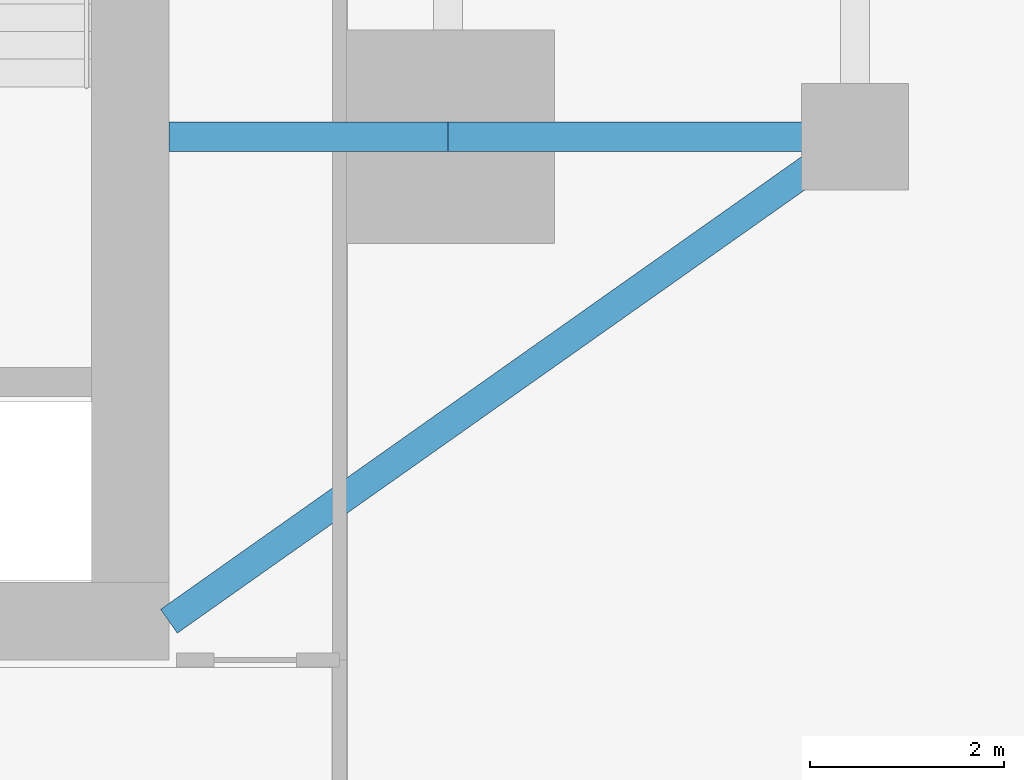
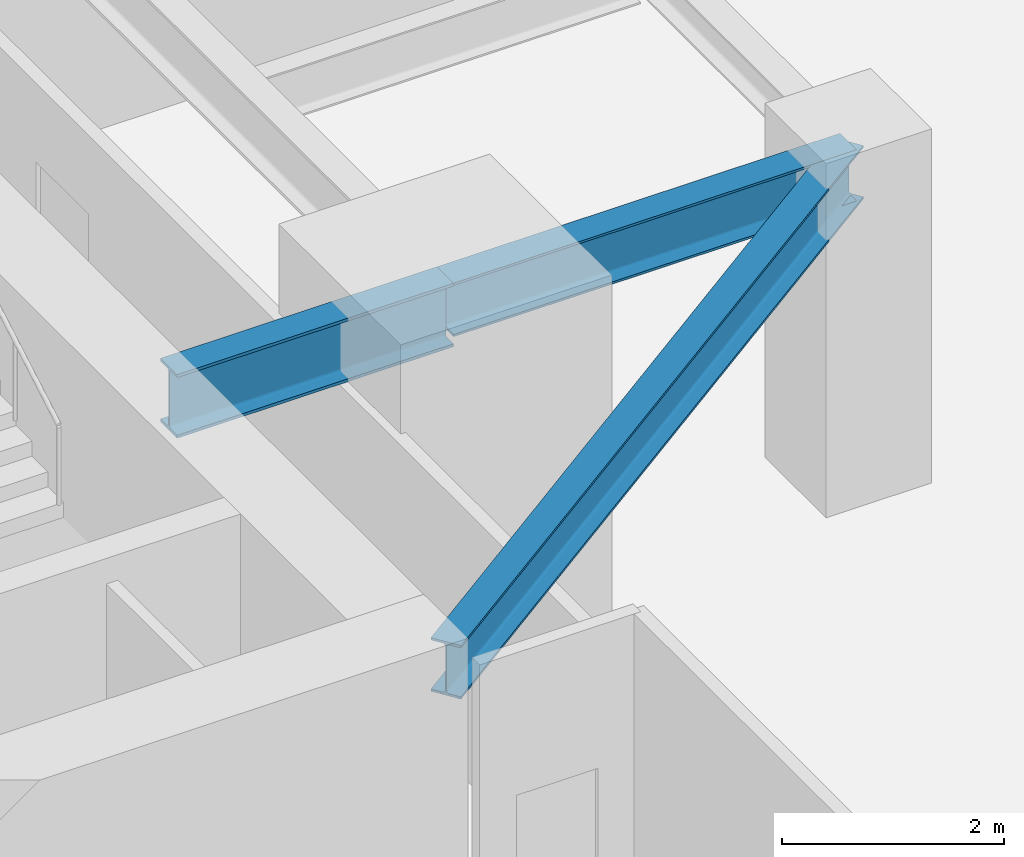
# One storey, part 11 of 30: 3 beams.
"""IFC4 building model written with IfcOpenShell, lengths in metres."""

from ifc_helpers import new_model, si_unit, direction, frame, origin, origin_2d, place, context, subcontext, project, spatial, i_section, extrude, source, transform, mapped, material, material_profile, profile_set, type_object, type_shapes, element, save


model = new_model("IFC4")

# Units and contexts
model_context = context("Model", 3, precision=1e-05, world=origin(), true_north=direction((0.0, 1.0)))
body_context = subcontext(model_context, "Body", "Model", "MODEL_VIEW")
ifc_project = project(units=[si_unit("LENGTHUNIT", "METRE"), si_unit("AREAUNIT", "SQUARE_METRE"), si_unit("VOLUMEUNIT", "CUBIC_METRE"), si_unit("PLANEANGLEUNIT", "RADIAN"), si_unit("MASSUNIT", "GRAM", prefix="KILO")], contexts=[model_context])

# Site, building, storey
site_placement = place(None, origin())
site = spatial("IfcSite", under=ifc_project, at=site_placement, CompositionType="ELEMENT")
building_placement = place(site_placement, origin())
building = spatial("IfcBuilding", under=site, at=building_placement, Name="Krantzveldt Concourse Tower", CompositionType="ELEMENT")
storey_placement = place(building_placement, frame((0.0, 0.0, 25.0)))
storey = spatial("IfcBuildingStorey", under=building, at=storey_placement, Name="L05", CompositionType="ELEMENT", Elevation=25.0)

# Beams
ifc_material_1 = material(Name="Steel S355J2", Category="steel")
ifc_material_profile_1 = material_profile(ifc_material_1, i_section(OverallWidth=0.300048828125, OverallDepth=0.699951171875, WebThickness=0.01708984375, FlangeThickness=0.031982421875, FilletRadius=0.027099609375, at=origin_2d()), Name="Steel S355J2", Category="steel")
ifc_profile_set_1 = profile_set([ifc_material_profile_1], Name="Steel S355J2 - HEB 700")
beam_type_1 = type_object("IfcBeamType", Name="BM-B-HEB700", PredefinedType="BEAM", material=ifc_profile_set_1)
shared_shape_1 = source(origin(), body_context, "Body", "SweptSolid", [
    extrude(i_section(OverallWidth=0.300048828125, OverallDepth=0.699951171875, WebThickness=0.01708984375, FlangeThickness=0.031982421875, FilletRadius=0.027099609375, at=origin_2d()), origin(), (0.0, 0.0, 1.0), 2.880126953125),
])
type_shapes(beam_type_1, [shared_shape_1])
beam_1_placement = place(storey_placement, frame((43.919921875, 15.89990234375, 3.320068359375), z_axis=(1.0, 0.0, 0.0), x_axis=(0.0, 1.0, 0.0)))
element("IfcBeam", 1, at=beam_1_placement, inside=storey, type_object=beam_type_1, Name="L05 Tower Girder BG-CE1", PredefinedType="BEAM", context=body_context, shape_type="MappedRepresentation", body=[
    mapped(shared_shape_1, transform((0.0, 0.0, 0.0), x_axis=(1.0, 0.0, 0.0), y_axis=(0.0, 1.0, 0.0), z_axis=(0.0, 0.0, 1.0), scale=1.0)),
])
ifc_material_2 = material(Name="Steel S355JR", Category="steel")
ifc_material_profile_2 = material_profile(ifc_material_2, i_section(OverallWidth=0.300048828125, OverallDepth=0.590087890625, WebThickness=0.012939453125, FlangeThickness=0.02490234375, FilletRadius=0.027099609375, at=origin_2d()), Name="Steel S355JR", Category="steel")
ifc_profile_set_2 = profile_set([ifc_material_profile_2], Name="Steel S355JR - HEA 600")
beam_type_2 = type_object("IfcBeamType", Name="BM-B-HEA600", PredefinedType="BEAM", material=ifc_profile_set_2)
shared_shape_2 = source(origin(), body_context, "Body", "SweptSolid", [
    extrude(i_section(OverallWidth=0.300048828125, OverallDepth=0.590087890625, WebThickness=0.012939453125, FlangeThickness=0.02490234375, FilletRadius=0.027099609375, at=origin_2d()), origin(), (0.0, 0.0, 1.0), 4.199951171875),
])
beam_2_placement = place(storey_placement, frame((46.800048828125, 15.89990234375, 3.375), z_axis=(1.0, 0.0, 0.0), x_axis=(0.0, 1.0, 0.0)))
element("IfcBeam", 2, at=beam_2_placement, inside=storey, type_object=beam_type_2, Name="L05 Tower Girder BR-RR1", PredefinedType="BEAM", context=body_context, shape_type="MappedRepresentation", body=[
    mapped(shared_shape_2, transform((0.0, 0.0, 0.0), x_axis=(1.0, 0.0, 0.0), y_axis=(0.0, 1.0, 0.0), z_axis=(0.0, 0.0, 1.0), scale=1.0)),
])
shared_shape_3 = source(origin(), body_context, "Body", "SweptSolid", [
    extrude(i_section(OverallWidth=0.300048828125, OverallDepth=0.590087890625, WebThickness=0.012939453125, FlangeThickness=0.02490234375, FilletRadius=0.027099609375, at=origin_2d()), origin(), (0.0, 0.0, 1.0), 8.667724609375),
])
type_shapes(beam_type_2, [shared_shape_2, shared_shape_3])
beam_3_placement = place(storey_placement, frame((51.0, 15.89990234375, 3.375), z_axis=(-0.81684294656, -0.576860122261, 0.0), x_axis=(0.576860122261, -0.81684294656, 0.0)))
element("IfcBeam", 3, at=beam_3_placement, inside=storey, type_object=beam_type_2, Name="L05 Tower Girder BR-CSE", PredefinedType="BEAM", context=body_context, shape_type="MappedRepresentation", body=[
    mapped(shared_shape_3, transform((0.0, 0.0, 0.0), x_axis=(1.0, 0.0, 0.0), y_axis=(0.0, 1.0, 0.0), z_axis=(0.0, 0.0, 1.0), scale=1.0)),
])

save(model, "model.ifc")
